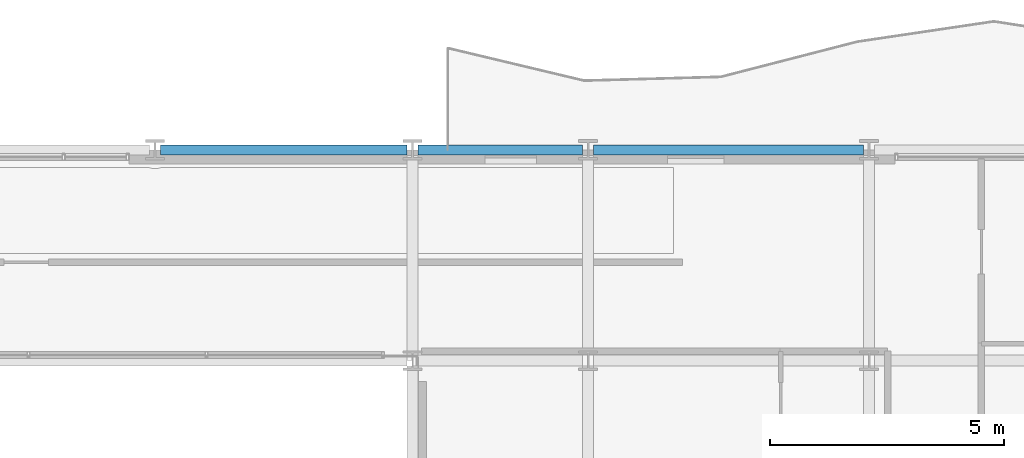
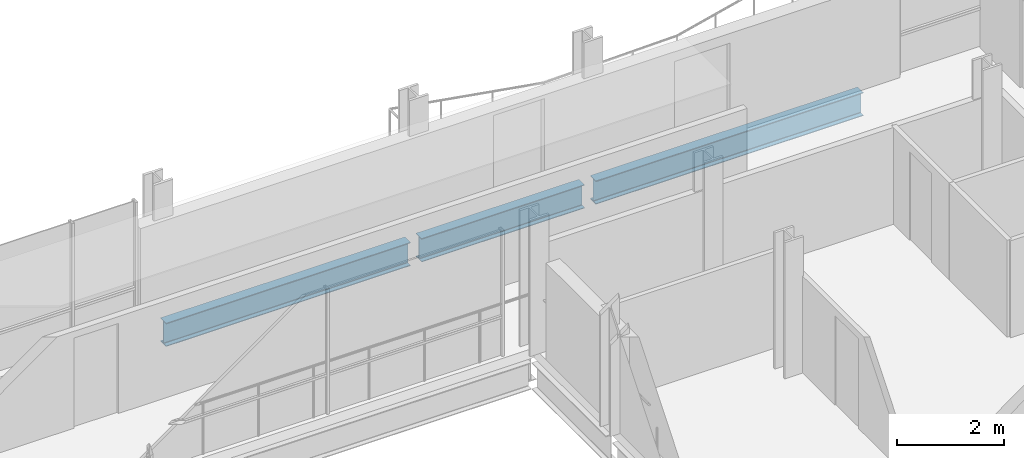
# One storey, part 23 of 40: 3 beams.
"""IFC4 building model written with IfcOpenShell, lengths in metres."""

from ifc_helpers import new_model, si_unit, direction, frame, origin, origin_2d, place, context, subcontext, project, spatial, i_section, extrude, material, material_profile, profile_set, type_object, element, save


model = new_model("IFC4")

# Units and contexts
model_context = context("Model", 3, precision=1e-05, world=origin(), true_north=direction((0.0, 1.0)))
body_context = subcontext(model_context, "Body", "Model", "MODEL_VIEW")
ifc_project = project(units=[si_unit("LENGTHUNIT", "METRE"), si_unit("AREAUNIT", "SQUARE_METRE"), si_unit("VOLUMEUNIT", "CUBIC_METRE"), si_unit("PLANEANGLEUNIT", "RADIAN"), si_unit("MASSUNIT", "GRAM", prefix="KILO")], contexts=[model_context])

# Site, building, storey
site_placement = place(None, origin())
site = spatial("IfcSite", under=ifc_project, at=site_placement, CompositionType="ELEMENT")
building_placement = place(site_placement, origin())
building = spatial("IfcBuilding", under=site, at=building_placement, Name="Brevholm Reach", CompositionType="ELEMENT")
storey_placement = place(building_placement, frame((0.0, 0.0, 131.39990234375)))
storey = spatial("IfcBuildingStorey", under=building, at=storey_placement, Name="L39", CompositionType="ELEMENT", Elevation=131.39990234375)

# Beams
ifc_material = material(Name="Structural Steel S355J2", Category="steel")
ifc_material_profile = material_profile(ifc_material, i_section(OverallWidth=0.209228515625, OverallDepth=0.533203125, WebThickness=0.010009765625, FlangeThickness=0.015625, FilletRadius=0.0126953125, at=origin_2d()), Name="UKB 533x210x92")
ifc_profile_set = profile_set([ifc_material_profile], Name="Structural Steel S355J2")
beam_type = type_object("IfcBeamType", Name="BM-SP533", PredefinedType="SPANDREL", material=ifc_profile_set)
beam_1_placement = place(storey_placement, frame((32.8701171875, 31.0, -0.486572265625), z_axis=(1.0, 0.0, 0.0), x_axis=(0.0, 1.0, 0.0)))
element("IfcBeam", 1, at=beam_1_placement, inside=storey, type_object=beam_type, Name="L39 SP-02 Framing Beam", PredefinedType="SPANDREL", context=body_context, shape_type="SweptSolid", body=[
    extrude(i_section(OverallWidth=0.209228515625, OverallDepth=0.533203125, WebThickness=0.010009765625, FlangeThickness=0.015625, FilletRadius=0.0126953125, at=origin_2d()), origin(), (0.0, 0.0, 1.0), 5.259765625),
])
beam_2_placement = place(storey_placement, frame((38.3701171875, 31.0, -0.486572265625), z_axis=(1.0, 0.0, 0.0), x_axis=(0.0, 1.0, 0.0)))
element("IfcBeam", 2, at=beam_2_placement, inside=storey, type_object=beam_type, Name="L39 SP-02 Framing Beam", PredefinedType="SPANDREL", context=body_context, shape_type="SweptSolid", body=[
    extrude(i_section(OverallWidth=0.209228515625, OverallDepth=0.533203125, WebThickness=0.010009765625, FlangeThickness=0.015625, FilletRadius=0.0126953125, at=origin_2d()), origin(), (0.0, 0.0, 1.0), 3.509765625),
])
beam_3_placement = place(storey_placement, frame((42.1201171875, 31.0, -0.486572265625), z_axis=(1.0, 0.0, 0.0), x_axis=(0.0, 1.0, 0.0)))
element("IfcBeam", 3, at=beam_3_placement, inside=storey, type_object=beam_type, Name="L39 SP-02 Framing Beam", PredefinedType="SPANDREL", context=body_context, shape_type="SweptSolid", body=[
    extrude(i_section(OverallWidth=0.209228515625, OverallDepth=0.533203125, WebThickness=0.010009765625, FlangeThickness=0.015625, FilletRadius=0.0126953125, at=origin_2d()), origin(), (0.0, 0.0, 1.0), 5.759765625),
])

save(model, "model.ifc")
